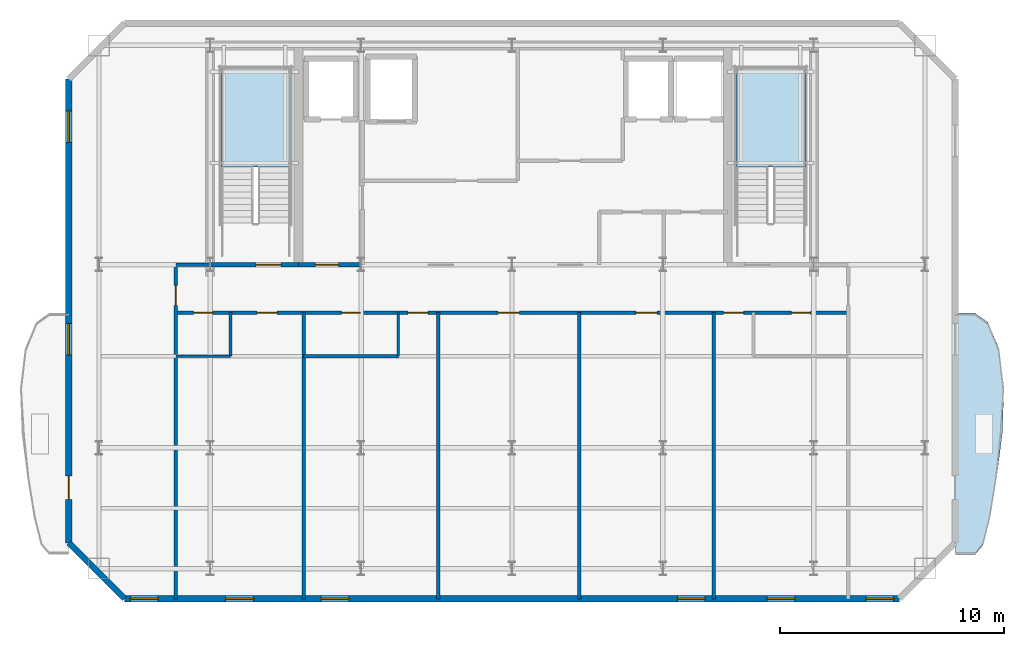
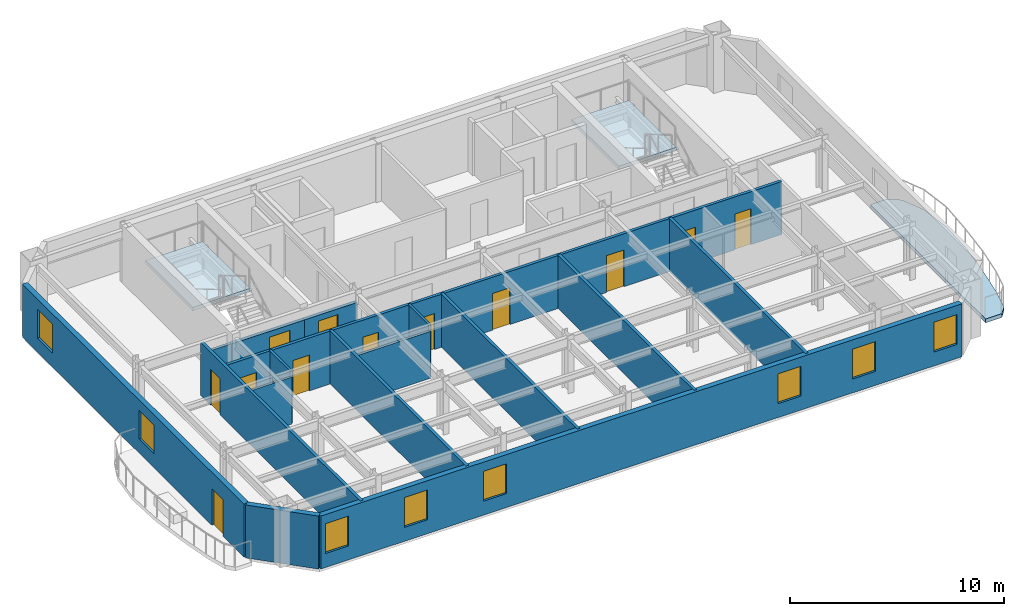
# One storey, part 2 of 6: 16 walls, 12 doors, 8 windows, 3 slabs, 20 openings, 2 elements without a shape of their own.
"""IFC4 building model written with IfcOpenShell, lengths in metres."""

import ifcopenshell
import ifcopenshell.guid

model = None  # the IFC model being written
_history = None  # IfcOwnerHistory: only IFC2X3 demands one
_inside = {}  # id of a spatial element -> (the spatial element, [elements in it])
_under = {}  # id of a project, library or spatial element -> (it, [spatial elements below it])
_declared = {}  # id of a project -> (the project, [libraries it declares])
_typed = {}  # id of a type object -> (the type object, [elements of that type])
_made_of = {}  # id of a material, layer set ... -> (it, [elements and type objects made of it])


def new_model(schema):
    """Start an empty IFC model of exactly this schema.

    Asked for "IFC4X3", IfcOpenShell would pick the latest addendum, in which some entities
    have other attributes; the version numbers below select the first issue.
    IFC2X3 requires an IfcOwnerHistory on every rooted entity: one is made here for all.
    """
    global model, _history
    if schema == "IFC4X3":
        model = ifcopenshell.file(schema_version=(4, 3, 0, 0))
    else:
        model = ifcopenshell.file(schema=schema)
    _inside.clear()
    _under.clear()
    _declared.clear()
    _typed.clear()
    _made_of.clear()
    _history = None
    if model.schema == "IFC2X3":
        org = make("IfcOrganization", Name="unknown")
        user = make(
            "IfcPersonAndOrganization",
            ThePerson=make("IfcPerson", FamilyName="unknown"),
            TheOrganization=org,
        )
        app = make(
            "IfcApplication",
            ApplicationDeveloper=org,
            Version="unknown",
            ApplicationFullName="unknown",
            ApplicationIdentifier="unknown",
        )
        _history = make(
            "IfcOwnerHistory",
            OwningUser=user,
            OwningApplication=app,
            ChangeAction="ADDED",
            CreationDate=0,
        )
    return model


def make(cls, **values):
    """One entity of the class cls with the attributes given. An attribute that is None is left unset."""
    return model.create_entity(
        cls, **{name: value for name, value in values.items() if value is not None}
    )


def rooted(cls, **values):
    """An entity with a GlobalId (a new one), such as an element, a storey or a relation."""
    return make(cls, GlobalId=ifcopenshell.guid.new(), OwnerHistory=_history, **values)


def si_unit(unit_type, name, prefix=None):
    """IfcSIUnit, for example si_unit("LENGTHUNIT", "METRE", prefix="MILLI")."""
    return make("IfcSIUnit", UnitType=unit_type, Prefix=prefix, Name=name)


def assignment(units):
    """IfcUnitAssignment: the units of a project."""
    return None if units is None else make("IfcUnitAssignment", Units=units)


def point(xyz):
    """IfcCartesianPoint."""
    return None if xyz is None else make("IfcCartesianPoint", Coordinates=xyz)


def direction(xyz):
    """IfcDirection."""
    return None if xyz is None else make("IfcDirection", DirectionRatios=xyz)


def frame(location, z_axis=None, x_axis=None):
    """IfcAxis2Placement3D, a coordinate frame: its origin and axes. An axis left out is left unset."""
    return make(
        "IfcAxis2Placement3D",
        Location=point(location),
        Axis=direction(z_axis),
        RefDirection=direction(x_axis),
    )


def frame_2d(location, x_axis=None):
    """IfcAxis2Placement2D, a coordinate frame in the plane: its origin and x axis."""
    return make(
        "IfcAxis2Placement2D", Location=point(location), RefDirection=direction(x_axis)
    )


def origin():
    """The frame at (0, 0, 0) with its axes left unset."""
    return frame((0.0, 0.0, 0.0))


def place(relative_to, where):
    """IfcLocalPlacement: puts the frame where relative to a parent placement (None: the world)."""
    return make(
        "IfcLocalPlacement", PlacementRelTo=relative_to, RelativePlacement=where
    )


def context(
    kind, dimensions, precision=None, world=None, true_north=None, identifier=None
):
    """IfcGeometricRepresentationContext, for example the 3D "Model" context."""
    return make(
        "IfcGeometricRepresentationContext",
        ContextIdentifier=identifier,
        ContextType=kind,
        CoordinateSpaceDimension=dimensions,
        Precision=precision,
        WorldCoordinateSystem=world,
        TrueNorth=true_north,
    )


def subcontext(parent, identifier, kind, view, scale=None):
    """IfcGeometricRepresentationSubContext, for example "Body" below "Model"."""
    return make(
        "IfcGeometricRepresentationSubContext",
        ContextIdentifier=identifier,
        ContextType=kind,
        ParentContext=parent,
        TargetScale=scale,
        TargetView=view,
    )


def project(units=None, contexts=None):
    """IfcProject with its units and contexts."""
    return rooted(
        "IfcProject",
        Name="project",
        RepresentationContexts=contexts,
        UnitsInContext=assignment(units),
    )


def spatial(cls, under=None, at=None, **own):
    """A site, building, storey or space (cls), placed at a placement, below another one or the project."""
    s = rooted(cls, ObjectPlacement=at, **own)
    if under is not None:
        _under.setdefault(under.id(), (under, []))[1].append(s)
    return s


def polyline(points):
    """IfcPolyline through the points."""
    return make("IfcPolyline", Points=[point(p) for p in points])


def profile(cls, at=None, kind="AREA", **sizes):
    """A parametric profile (cls). Its sizes go by their IFC names, for example OverallWidth=200.0."""
    return make(cls, ProfileType=kind, Position=at, **sizes)


def rectangle(**sizes):
    """IfcRectangleProfileDef."""
    return profile("IfcRectangleProfileDef", **sizes)


def outline(outer, holes=None, kind="AREA"):
    """IfcArbitraryClosedProfileDef: a profile drawn as a closed curve; with holes, ...WithVoids."""
    if holes is None:
        return make("IfcArbitraryClosedProfileDef", ProfileType=kind, OuterCurve=outer)
    return make(
        "IfcArbitraryProfileDefWithVoids",
        ProfileType=kind,
        OuterCurve=outer,
        InnerCurves=holes,
    )


def extrude(swept, where, along, depth):
    """IfcExtrudedAreaSolid: the profile swept, set in the frame where, extruded along a direction by depth."""
    return make(
        "IfcExtrudedAreaSolid",
        SweptArea=swept,
        Position=where,
        ExtrudedDirection=direction(along),
        Depth=depth,
    )


def shape(context_of_items, identifier, shape_type, items):
    """IfcShapeRepresentation: the items that make up one representation, for example the "Body"."""
    return make(
        "IfcShapeRepresentation",
        ContextOfItems=context_of_items,
        RepresentationIdentifier=identifier,
        RepresentationType=shape_type,
        Items=items,
    )


def material(Name=None, Category=None):
    """IfcMaterial."""
    return make("IfcMaterial", Name=Name, Category=Category)


def layer(
    of_material, thickness, ventilated=None, Name=None, Category=None, Priority=None
):
    """IfcMaterialLayer: one layer of a wall or slab, of a material (None: an air gap)."""
    return make(
        "IfcMaterialLayer",
        Material=of_material,
        LayerThickness=thickness,
        IsVentilated=ventilated,
        Name=Name,
        Category=Category,
        Priority=Priority,
    )


def layer_set(layers, Name=None):
    """IfcMaterialLayerSet."""
    return make("IfcMaterialLayerSet", MaterialLayers=layers, LayerSetName=Name)


def made_of(thing, what):
    """Note that an element or type object is made of a material, layer set ...; save() writes the relation."""
    if what is not None:
        _made_of.setdefault(what.id(), (what, []))[1].append(thing)
    return thing


def type_object(cls, material=None, **own):
    """A type object (cls), such as IfcWallType, which elements share."""
    return made_of(rooted(cls, **own), material)


def element(
    cls,
    number,
    at=None,
    inside=None,
    cuts=None,
    type_object=None,
    material=None,
    context=None,
    identifier="Body",
    shape_type=None,
    held_by="IfcProductDefinitionShape",
    body=None,
    shapes=None,
    **own,
):
    """One element of the class cls, such as IfcWall. Its Tag is "e" and its number.

    at: its placement. inside: the storey or other place that contains it. cuts: it is an
    opening in that element (IfcRelVoidsElement). A single representation is given by context,
    identifier, shape_type and body (its items); several are given by shapes. held_by: the class
    of the entity that holds the representations. save() writes the other relations.
    """
    e = rooted(cls, Tag="e%d" % number, ObjectPlacement=at, **own)
    if body is not None:
        shapes = [shape(context, identifier, shape_type, body)]
    if shapes is not None:
        e.Representation = make(held_by, Representations=shapes)
    if inside is not None:
        _inside.setdefault(inside.id(), (inside, []))[1].append(e)
    if cuts is not None:
        rooted(
            "IfcRelVoidsElement", RelatingBuildingElement=cuts, RelatedOpeningElement=e
        )
    if type_object is not None:
        _typed.setdefault(type_object.id(), (type_object, []))[1].append(e)
    return made_of(e, material)


def fill(opening, filler):
    """IfcRelFillsElement: the door or window that sits in an opening."""
    return rooted(
        "IfcRelFillsElement",
        RelatingOpeningElement=opening,
        RelatedBuildingElement=filler,
    )


def aggregate(whole, parts):
    """IfcRelAggregates: a whole, such as a stair, and the parts it consists of."""
    return rooted("IfcRelAggregates", RelatingObject=whole, RelatedObjects=parts)


def save(model, path):
    """Write the relations noted so far, then the file.

    IfcRelAggregates (storeys below a building ...), IfcRelContainedInSpatialStructure (elements
    in a storey), IfcRelDefinesByType, IfcRelAssociatesMaterial and IfcRelDeclares: one each for
    every whole, place, type object, material and project.
    """
    for whole, parts in _under.values():
        aggregate(whole, parts)
    for where, things in _inside.values():
        rooted(
            "IfcRelContainedInSpatialStructure",
            RelatedElements=things,
            RelatingStructure=where,
        )
    for kind, things in _typed.values():
        rooted("IfcRelDefinesByType", RelatedObjects=things, RelatingType=kind)
    for what, things in _made_of.values():
        rooted("IfcRelAssociatesMaterial", RelatedObjects=things, RelatingMaterial=what)
    for by, libraries in _declared.values():
        rooted("IfcRelDeclares", RelatingContext=by, RelatedDefinitions=libraries)
    model.write(path)


model = new_model("IFC4")

# Units and contexts
model_context = context("Model", 3, precision=1e-05, world=origin(), true_north=direction((0.0, 1.0)))
body_context = subcontext(model_context, "Body", "Model", "MODEL_VIEW")
ifc_project = project(units=[si_unit("LENGTHUNIT", "METRE"), si_unit("AREAUNIT", "SQUARE_METRE"), si_unit("VOLUMEUNIT", "CUBIC_METRE"), si_unit("PLANEANGLEUNIT", "RADIAN"), si_unit("MASSUNIT", "GRAM", prefix="KILO")], contexts=[model_context])

# Site, building, storey
site_placement = place(None, origin())
site = spatial("IfcSite", under=ifc_project, at=site_placement, CompositionType="ELEMENT")
building_placement = place(site_placement, origin())
building = spatial("IfcBuilding", under=site, at=building_placement, Name="Haevon Station Towers", CompositionType="ELEMENT")
storey_placement = place(building_placement, frame((0.0, 0.0, 246.0)))
storey = spatial("IfcBuildingStorey", under=building, at=storey_placement, Name="L68", CompositionType="ELEMENT", Elevation=246.0)

# Slab
ifc_material_1 = material(Name="Concrete C40/50", Category="concrete")
ifc_layer_1 = layer(ifc_material_1, 0.219970703125)
ifc_layer_set_1 = layer_set([ifc_layer_1], Name="Concrete C40/50")
slab_type_1 = type_object("IfcSlabType", Name="SL-BALC220", PredefinedType="FLOOR", material=ifc_layer_set_1)
slab_1_placement = place(storey_placement, frame((0.0, 0.0, -0.219970703125)))
element("IfcSlab", 1, at=slab_1_placement, inside=storey, type_object=slab_type_1, Name="Tower 1 L68 East SCALLOPED BALCONY", PredefinedType="FLOOR", context=body_context, shape_type="SweptSolid", body=[
    extrude(outline(polyline([(57.330078125, 25.22509765625), (58.2119140625, 25.22509765625), (58.56298828125, 25.635986328125), (58.862548828125, 26.806640625), (59.165771484375, 28.55859375), (59.429931640625, 30.625), (59.5087890625, 32.69140625), (59.283935546875, 34.443359375), (58.793212890625, 35.614013671875), (58.2119140625, 36.02490234375), (57.330078125, 36.02490234375), (57.330078125, 25.22509765625)])), origin(), (0.0, 0.0, 1.0), 0.219970703125),
])

# Stair, slab
stair_type = type_object("IfcStairType", Name="STR-DL1450", PredefinedType="USERDEFINED", material=ifc_material_1)
stair_1_placement = place(storey_placement, origin())
stair_1 = element("IfcStair", 2, at=stair_1_placement, inside=storey, type_object=stair_type, Name="L68 Escape Stair ST1", ObjectType="TWO_RETURN_STAIR", PredefinedType="USERDEFINED")
ifc_layer_2 = layer(ifc_material_1, 0.199951171875)
ifc_layer_set_2 = layer_set([ifc_layer_2], Name="Concrete C40/50")
slab_type_2 = type_object("IfcSlabType", Name="SL-LND200", PredefinedType="LANDING", material=ifc_layer_set_2)
slab_2_placement = place(storey_placement, frame((0.0, 0.0, 1.449951171875)))
slab_2 = element("IfcSlab", 3, at=slab_2_placement, type_object=slab_type_2, Name="L68 ST1 Half Landing 1", PredefinedType="LANDING", context=body_context, shape_type="SweptSolid", body=[
    extrude(outline(polyline([(27.580078125, 42.56396484375), (27.580078125, 47.0), (24.47998046875, 47.0), (24.47998046875, 42.56396484375), (27.580078125, 42.56396484375)])), origin(), (0.0, 0.0, 1.0), 0.199951171875),
])
aggregate(stair_1, [slab_2])

stair_2_placement = place(storey_placement, origin())
stair_2 = element("IfcStair", 4, at=stair_2_placement, inside=storey, type_object=stair_type, Name="L68 Escape Stair ST2", ObjectType="TWO_RETURN_STAIR", PredefinedType="USERDEFINED")
slab_3_placement = place(storey_placement, frame((0.0, 0.0, 1.449951171875)))
slab_3 = element("IfcSlab", 5, at=slab_3_placement, type_object=slab_type_2, Name="L68 ST2 Half Landing 1", PredefinedType="LANDING", context=body_context, shape_type="SweptSolid", body=[
    extrude(outline(polyline([(50.6201171875, 42.56396484375), (50.6201171875, 47.0), (47.52001953125, 47.0), (47.52001953125, 42.56396484375), (50.6201171875, 42.56396484375)])), origin(), (0.0, 0.0, 1.0), 0.199951171875),
])
aggregate(stair_2, [slab_3])

# Wall, opening, door
ifc_material_2 = material(Name="Gypsum board on steel stud", Category="steel")
ifc_layer_3 = layer(ifc_material_2, 0.199951171875)
ifc_layer_set_3 = layer_set([ifc_layer_3], Name="Gypsum board on steel stud")
wall_type_1 = type_object("IfcWallType", Name="WL-COR200", PredefinedType="PARTITIONING", material=ifc_layer_set_3)
wall_1_placement = place(storey_placement, frame((24.0, 38.199951171875, 0.0), z_axis=(0.0, 0.0, 1.0), x_axis=(1.0, 0.0, 0.0)))
wall_1 = element("IfcWall", 6, at=wall_1_placement, inside=storey, type_object=wall_type_1, Name="WL-ST-ST1-L68", PredefinedType="PARTITIONING", context=body_context, shape_type="SweptSolid", body=[
    extrude(rectangle(XDim=3.949951171875, YDim=0.199951171875, at=frame_2d((1.97509765625, 0.0))), origin(), (0.0, 0.0, 1.0), 2.429931640625),
])
opening_1_placement = place(wall_1_placement, frame((2.050048828125, 0.0, 0.0)))
opening_1 = element("IfcOpeningElement", 7, at=opening_1_placement, cuts=wall_1, Name="Opening DR-ST-ST1-L68", PredefinedType="OPENING", context=body_context, shape_type="SweptSolid", body=[
    extrude(rectangle(XDim=1.1201171875, YDim=2.10009765625, at=frame_2d((0.56005859375, 1.050048828125))), frame((0.0, 0.10986328125, 0.0), z_axis=(0.0, -1.0, 0.0), x_axis=(1.0, 0.0, 0.0)), (0.0, 0.0, 1.0), 0.219970703125),
])
ifc_material_3 = material(Name="Engineered oak timber", Category="wood")
door_type_1 = type_object("IfcDoorType", Name="DR-ST-1120", OperationType="NOTDEFINED", PredefinedType="DOOR", material=ifc_material_3)
door_1_placement = place(opening_1_placement, origin())
door_1 = element("IfcDoor", 8, at=door_1_placement, inside=storey, type_object=door_type_1, Name="L68 Escape Stair ST1 Fire Door", OperationType="SINGLE_SWING_LEFT", OverallHeight=2.10009765625, OverallWidth=1.1201171875, PredefinedType="DOOR", context=body_context, shape_type="SweptSolid", body=[
    extrude(rectangle(XDim=1.1201171875, YDim=2.10009765625, at=frame_2d((0.56005859375, 1.050048828125))), frame((0.0, 0.02490234375, 0.0), z_axis=(0.0, -1.0, 0.0), x_axis=(1.0, 0.0, 0.0)), (0.0, 0.0, 1.0), 0.050048828125),
])
fill(opening_1, door_1)

wall_2_placement = place(storey_placement, frame((27.949951171875, 38.199951171875, 0.0), z_axis=(0.0, 0.0, 1.0), x_axis=(1.0, 0.0, 0.0)))
wall_2 = element("IfcWall", 9, at=wall_2_placement, inside=storey, type_object=wall_type_1, Name="WL-T1FFL-L68-S", PredefinedType="PARTITIONING", context=body_context, shape_type="SweptSolid", body=[
    extrude(rectangle(XDim=2.85009765625, YDim=0.199951171875, at=frame_2d((1.425048828125, 0.0))), origin(), (0.0, 0.0, 1.0), 2.429931640625),
])
opening_2_placement = place(wall_2_placement, frame((0.75, 0.0, 0.0)))
opening_2 = element("IfcOpeningElement", 10, at=opening_2_placement, cuts=wall_2, Name="Opening DR-T1FFL-L68-S", PredefinedType="OPENING", context=body_context, shape_type="SweptSolid", body=[
    extrude(rectangle(XDim=1.050048828125, YDim=2.10009765625, at=frame_2d((0.52490234375, 1.050048828125))), frame((0.0, 0.10986328125, 0.0), z_axis=(0.0, -1.0, 0.0), x_axis=(1.0, 0.0, 0.0)), (0.0, 0.0, 1.0), 0.219970703125),
])
door_type_2 = type_object("IfcDoorType", Name="DR-FD60-1050", OperationType="NOTDEFINED", PredefinedType="DOOR", material=ifc_material_3)
door_2_placement = place(opening_2_placement, origin())
door_2 = element("IfcDoor", 11, at=door_2_placement, inside=storey, type_object=door_type_2, Name="L68 Tower 1 Firefighting Lift Lobby Door S", OperationType="SINGLE_SWING_RIGHT", OverallHeight=2.10009765625, OverallWidth=1.050048828125, PredefinedType="DOOR", context=body_context, shape_type="SweptSolid", body=[
    extrude(rectangle(XDim=1.050048828125, YDim=2.10009765625, at=frame_2d((0.52490234375, 1.050048828125))), frame((0.0, 0.02490234375, 0.0), z_axis=(0.0, -1.0, 0.0), x_axis=(1.0, 0.0, 0.0)), (0.0, 0.0, 1.0), 0.050048828125),
])
fill(opening_2, door_2)

# Wall, openings, windows
ifc_material_4 = material(Name="Precast concrete C45/55", Category="concrete")
ifc_layer_4 = layer(ifc_material_4, 0.280029296875)
ifc_layer_set_4 = layer_set([ifc_layer_4], Name="Precast concrete C45/55")
wall_type_2 = type_object("IfcWallType", Name="WL-EXT-PIER280", PredefinedType="SOLIDWALL", material=ifc_layer_set_4)
wall_3_placement = place(storey_placement, frame((54.824951171875, 23.25, 0.0), z_axis=(0.0, 0.0, 1.0), x_axis=(-1.0, 0.0, 0.0)))
wall_3 = element("IfcWall", 12, at=wall_3_placement, inside=storey, type_object=wall_type_2, Name="WL-T1-L68-S", PredefinedType="SOLIDWALL", context=body_context, shape_type="SweptSolid", body=[
    extrude(rectangle(XDim=34.64990234375, YDim=0.280029296875, at=frame_2d((17.324951171875, 0.0))), origin(), (0.0, 0.0, 1.0), 3.030029296875),
])
opening_3_placement = place(wall_3_placement, frame((33.14990234375, 0.0, 0.800048828125)))
opening_3 = element("IfcOpeningElement", 13, at=opening_3_placement, cuts=wall_3, Name="Opening WN-P125", PredefinedType="OPENING", context=body_context, shape_type="SweptSolid", body=[
    extrude(rectangle(XDim=1.25, YDim=1.699951171875, at=frame_2d((0.625, 0.85009765625))), frame((0.0, 0.14990234375, 0.0), z_axis=(0.0, -1.0, 0.0), x_axis=(1.0, 0.0, 0.0)), (0.0, 0.0, 1.0), 0.300048828125),
])
opening_4_placement = place(wall_3_placement, frame((0.25, 0.0, 0.800048828125)))
opening_4 = element("IfcOpeningElement", 14, at=opening_4_placement, cuts=wall_3, Name="Opening WN-P125", PredefinedType="OPENING", context=body_context, shape_type="SweptSolid", body=[
    extrude(rectangle(XDim=1.25, YDim=1.699951171875, at=frame_2d((0.625, 0.85009765625))), frame((0.0, 0.14990234375, 0.0), z_axis=(0.0, -1.0, 0.0), x_axis=(1.0, 0.0, 0.0)), (0.0, 0.0, 1.0), 0.300048828125),
])
opening_5_placement = place(wall_3_placement, frame((28.880859375, 0.0, 0.800048828125)))
opening_5 = element("IfcOpeningElement", 15, at=opening_5_placement, cuts=wall_3, Name="Opening WN-P125", PredefinedType="OPENING", context=body_context, shape_type="SweptSolid", body=[
    extrude(rectangle(XDim=1.25, YDim=1.699951171875, at=frame_2d((0.625, 0.85009765625))), frame((0.0, 0.14990234375, 0.0), z_axis=(0.0, -1.0, 0.0), x_axis=(1.0, 0.0, 0.0)), (0.0, 0.0, 1.0), 0.300048828125),
])
opening_6_placement = place(wall_3_placement, frame((24.6181640625, 0.0, 0.800048828125)))
opening_6 = element("IfcOpeningElement", 16, at=opening_6_placement, cuts=wall_3, Name="Opening WN-P125", PredefinedType="OPENING", context=body_context, shape_type="SweptSolid", body=[
    extrude(rectangle(XDim=1.25, YDim=1.699951171875, at=frame_2d((0.625, 0.85009765625))), frame((0.0, 0.14990234375, 0.0), z_axis=(0.0, -1.0, 0.0), x_axis=(1.0, 0.0, 0.0)), (0.0, 0.0, 1.0), 0.300048828125),
])
opening_7_placement = place(wall_3_placement, frame((8.68212890625, 0.0, 0.800048828125)))
opening_7 = element("IfcOpeningElement", 17, at=opening_7_placement, cuts=wall_3, Name="Opening WN-P125", PredefinedType="OPENING", context=body_context, shape_type="SweptSolid", body=[
    extrude(rectangle(XDim=1.25, YDim=1.699951171875, at=frame_2d((0.625, 0.85009765625))), frame((0.0, 0.14990234375, 0.0), z_axis=(0.0, -1.0, 0.0), x_axis=(1.0, 0.0, 0.0)), (0.0, 0.0, 1.0), 0.300048828125),
])
opening_8_placement = place(wall_3_placement, frame((4.669677734375, 0.0, 0.800048828125)))
opening_8 = element("IfcOpeningElement", 18, at=opening_8_placement, cuts=wall_3, Name="Opening WN-P125", PredefinedType="OPENING", context=body_context, shape_type="SweptSolid", body=[
    extrude(rectangle(XDim=1.25, YDim=1.699951171875, at=frame_2d((0.625, 0.85009765625))), frame((0.0, 0.14990234375, 0.0), z_axis=(0.0, -1.0, 0.0), x_axis=(1.0, 0.0, 0.0)), (0.0, 0.0, 1.0), 0.300048828125),
])
ifc_material_5 = material(Name="Low-E triple glazing in thermally broken aluminium", Category="aluminium")
window_type_1 = type_object("IfcWindowType", Name="WN-P125", PartitioningType="SINGLE_PANEL", PredefinedType="WINDOW", material=ifc_material_5)
window_1_placement = place(opening_3_placement, origin())
window_1 = element("IfcWindow", 19, at=window_1_placement, inside=storey, type_object=window_type_1, Name="WN-T1-L68-S01", OverallHeight=1.699951171875, OverallWidth=1.25, PartitioningType="SINGLE_PANEL", PredefinedType="WINDOW", context=body_context, shape_type="SweptSolid", body=[
    extrude(rectangle(XDim=1.25, YDim=1.699951171875, at=frame_2d((0.625, 0.85009765625))), frame((0.0, 0.030029296875, 0.0), z_axis=(0.0, -1.0, 0.0), x_axis=(1.0, 0.0, 0.0)), (0.0, 0.0, 1.0), 0.06005859375),
])
fill(opening_3, window_1)
window_2_placement = place(opening_4_placement, origin())
window_2 = element("IfcWindow", 20, at=window_2_placement, inside=storey, type_object=window_type_1, Name="WN-T1-L68-S02", OverallHeight=1.699951171875, OverallWidth=1.25, PartitioningType="SINGLE_PANEL", PredefinedType="WINDOW", context=body_context, shape_type="SweptSolid", body=[
    extrude(rectangle(XDim=1.25, YDim=1.699951171875, at=frame_2d((0.625, 0.85009765625))), frame((0.0, 0.030029296875, 0.0), z_axis=(0.0, -1.0, 0.0), x_axis=(1.0, 0.0, 0.0)), (0.0, 0.0, 1.0), 0.06005859375),
])
fill(opening_4, window_2)
window_3_placement = place(opening_5_placement, origin())
window_3 = element("IfcWindow", 21, at=window_3_placement, inside=storey, type_object=window_type_1, Name="WN-T1-L68-S03", OverallHeight=1.699951171875, OverallWidth=1.25, PartitioningType="SINGLE_PANEL", PredefinedType="WINDOW", context=body_context, shape_type="SweptSolid", body=[
    extrude(rectangle(XDim=1.25, YDim=1.699951171875, at=frame_2d((0.625, 0.85009765625))), frame((0.0, 0.030029296875, 0.0), z_axis=(0.0, -1.0, 0.0), x_axis=(1.0, 0.0, 0.0)), (0.0, 0.0, 1.0), 0.06005859375),
])
fill(opening_5, window_3)
window_4_placement = place(opening_6_placement, origin())
window_4 = element("IfcWindow", 22, at=window_4_placement, inside=storey, type_object=window_type_1, Name="WN-T1-L68-S04", OverallHeight=1.699951171875, OverallWidth=1.25, PartitioningType="SINGLE_PANEL", PredefinedType="WINDOW", context=body_context, shape_type="SweptSolid", body=[
    extrude(rectangle(XDim=1.25, YDim=1.699951171875, at=frame_2d((0.625, 0.85009765625))), frame((0.0, 0.030029296875, 0.0), z_axis=(0.0, -1.0, 0.0), x_axis=(1.0, 0.0, 0.0)), (0.0, 0.0, 1.0), 0.06005859375),
])
fill(opening_6, window_4)
window_5_placement = place(opening_7_placement, origin())
window_5 = element("IfcWindow", 23, at=window_5_placement, inside=storey, type_object=window_type_1, Name="WN-T1-L68-S05", OverallHeight=1.699951171875, OverallWidth=1.25, PartitioningType="SINGLE_PANEL", PredefinedType="WINDOW", context=body_context, shape_type="SweptSolid", body=[
    extrude(rectangle(XDim=1.25, YDim=1.699951171875, at=frame_2d((0.625, 0.85009765625))), frame((0.0, 0.030029296875, 0.0), z_axis=(0.0, -1.0, 0.0), x_axis=(1.0, 0.0, 0.0)), (0.0, 0.0, 1.0), 0.06005859375),
])
fill(opening_7, window_5)
window_6_placement = place(opening_8_placement, origin())
window_6 = element("IfcWindow", 24, at=window_6_placement, inside=storey, type_object=window_type_1, Name="WN-T1-L68-S06", OverallHeight=1.699951171875, OverallWidth=1.25, PartitioningType="SINGLE_PANEL", PredefinedType="WINDOW", context=body_context, shape_type="SweptSolid", body=[
    extrude(rectangle(XDim=1.25, YDim=1.699951171875, at=frame_2d((0.625, 0.85009765625))), frame((0.0, 0.030029296875, 0.0), z_axis=(0.0, -1.0, 0.0), x_axis=(1.0, 0.0, 0.0)), (0.0, 0.0, 1.0), 0.06005859375),
])
fill(opening_8, window_6)

# Wall
wall_4_placement = place(storey_placement, frame((20.175048828125, 23.25, 0.0), z_axis=(0.0, 0.0, 1.0), x_axis=(-0.707106781187, 0.707106781187, 0.0)))
element("IfcWall", 25, at=wall_4_placement, inside=storey, type_object=wall_type_2, Name="WL-T1-L68-SWC", PredefinedType="SOLIDWALL", context=body_context, shape_type="SweptSolid", body=[
    extrude(rectangle(XDim=3.53564453125, YDim=0.280029296875, at=frame_2d((1.767822265625, 0.0))), origin(), (0.0, 0.0, 1.0), 3.030029296875),
])

# Wall, openings, door, windows
wall_5_placement = place(storey_placement, frame((17.675048828125, 25.75, 0.0), z_axis=(0.0, 0.0, 1.0), x_axis=(0.0, 1.0, 0.0)))
wall_5 = element("IfcWall", 26, at=wall_5_placement, inside=storey, type_object=wall_type_2, Name="WL-T1-L68-W", PredefinedType="SOLIDWALL", context=body_context, shape_type="SweptSolid", body=[
    extrude(rectangle(XDim=20.75, YDim=0.280029296875, at=frame_2d((10.375, 0.0))), origin(), (0.0, 0.0, 1.0), 3.030029296875),
])
opening_9_placement = place(wall_5_placement, frame((1.949951171875, 0.0, 0.0)))
opening_9 = element("IfcOpeningElement", 27, at=opening_9_placement, cuts=wall_5, Name="Opening DR-T1-SCAL-L68-W", PredefinedType="OPENING", context=body_context, shape_type="SweptSolid", body=[
    extrude(rectangle(XDim=1.050048828125, YDim=2.10009765625, at=frame_2d((0.52490234375, 1.050048828125))), frame((0.0, 0.14990234375, 0.0), z_axis=(0.0, -1.0, 0.0), x_axis=(1.0, 0.0, 0.0)), (0.0, 0.0, 1.0), 0.300048828125),
])
opening_10_placement = place(wall_5_placement, frame((8.406982421875, 0.0, 0.800048828125)))
opening_10 = element("IfcOpeningElement", 28, at=opening_10_placement, cuts=wall_5, Name="Opening WN-END140", PredefinedType="OPENING", context=body_context, shape_type="SweptSolid", body=[
    extrude(rectangle(XDim=1.39990234375, YDim=1.64990234375, at=frame_2d((0.699951171875, 0.824951171875))), frame((0.0, 0.14990234375, 0.0), z_axis=(0.0, -1.0, 0.0), x_axis=(1.0, 0.0, 0.0)), (0.0, 0.0, 1.0), 0.300048828125),
])
opening_11_placement = place(wall_5_placement, frame((17.916015625, 0.0, 0.800048828125)))
opening_11 = element("IfcOpeningElement", 29, at=opening_11_placement, cuts=wall_5, Name="Opening WN-END140", PredefinedType="OPENING", context=body_context, shape_type="SweptSolid", body=[
    extrude(rectangle(XDim=1.39990234375, YDim=1.64990234375, at=frame_2d((0.699951171875, 0.824951171875))), frame((0.0, 0.14990234375, 0.0), z_axis=(0.0, -1.0, 0.0), x_axis=(1.0, 0.0, 0.0)), (0.0, 0.0, 1.0), 0.300048828125),
])
ifc_material_6 = material(Name="Thermally broken anodised aluminium and laminated safety glass", Category="aluminium")
door_type_3 = type_object("IfcDoorType", Name="DR-BALC-1050", OperationType="NOTDEFINED", PredefinedType="DOOR", material=ifc_material_6)
door_3_placement = place(opening_9_placement, origin())
door_3 = element("IfcDoor", 30, at=door_3_placement, inside=storey, type_object=door_type_3, Name="Tower 1 L68 West Scalloped Balcony Door", OperationType="SINGLE_SWING_LEFT", OverallHeight=2.10009765625, OverallWidth=1.050048828125, PredefinedType="DOOR", context=body_context, shape_type="SweptSolid", body=[
    extrude(rectangle(XDim=1.050048828125, YDim=2.10009765625, at=frame_2d((0.52490234375, 1.050048828125))), frame((0.0, 0.02490234375, 0.0), z_axis=(0.0, -1.0, 0.0), x_axis=(1.0, 0.0, 0.0)), (0.0, 0.0, 1.0), 0.050048828125),
])
fill(opening_9, door_3)
window_type_2 = type_object("IfcWindowType", Name="WN-END140", PartitioningType="SINGLE_PANEL", PredefinedType="WINDOW", material=ifc_material_5)
window_7_placement = place(opening_10_placement, origin())
window_7 = element("IfcWindow", 31, at=window_7_placement, inside=storey, type_object=window_type_2, Name="WN-T1-L68-W01", OverallHeight=1.64990234375, OverallWidth=1.39990234375, PartitioningType="SINGLE_PANEL", PredefinedType="WINDOW", context=body_context, shape_type="SweptSolid", body=[
    extrude(rectangle(XDim=1.39990234375, YDim=1.64990234375, at=frame_2d((0.699951171875, 0.824951171875))), frame((0.0, 0.030029296875, 0.0), z_axis=(0.0, -1.0, 0.0), x_axis=(1.0, 0.0, 0.0)), (0.0, 0.0, 1.0), 0.06005859375),
])
fill(opening_10, window_7)
window_8_placement = place(opening_11_placement, origin())
window_8 = element("IfcWindow", 32, at=window_8_placement, inside=storey, type_object=window_type_2, Name="WN-T1-L68-W02", OverallHeight=1.64990234375, OverallWidth=1.39990234375, PartitioningType="SINGLE_PANEL", PredefinedType="WINDOW", context=body_context, shape_type="SweptSolid", body=[
    extrude(rectangle(XDim=1.39990234375, YDim=1.64990234375, at=frame_2d((0.699951171875, 0.824951171875))), frame((0.0, 0.030029296875, 0.0), z_axis=(0.0, -1.0, 0.0), x_axis=(1.0, 0.0, 0.0)), (0.0, 0.0, 1.0), 0.06005859375),
])
fill(opening_11, window_8)

# Walls
ifc_layer_5 = layer(ifc_material_2, 0.125)
ifc_layer_set_5 = layer_set([ifc_layer_5], Name="Gypsum board on steel stud")
wall_type_3 = type_object("IfcWallType", Name="WL-PRT125", PredefinedType="PARTITIONING", material=ifc_layer_set_5)
wall_6_placement = place(storey_placement, frame((22.4619140625, 34.10009765625, 0.0), z_axis=(0.0, 0.0, 1.0), x_axis=(1.0, 0.0, 0.0)))
element("IfcWall", 33, at=wall_6_placement, inside=storey, type_object=wall_type_3, Name="WL-T1PT-L68-05", PredefinedType="PARTITIONING", context=body_context, shape_type="SweptSolid", body=[
    extrude(rectangle(XDim=2.4501953125, YDim=0.125, at=frame_2d((1.22509765625, 0.0))), origin(), (0.0, 0.0, 1.0), 2.679931640625),
])
wall_7_placement = place(storey_placement, frame((32.41162109375, 34.10009765625, 0.0), z_axis=(0.0, 0.0, 1.0), x_axis=(0.0, 1.0, 0.0)))
element("IfcWall", 34, at=wall_7_placement, inside=storey, type_object=wall_type_3, Name="WL-T1PT-L68-09", PredefinedType="PARTITIONING", context=body_context, shape_type="SweptSolid", body=[
    extrude(rectangle(XDim=1.949951171875, YDim=0.125, at=frame_2d((0.97509765625, 0.0))), origin(), (0.0, 0.0, 1.0), 3.030029296875),
])
ifc_layer_6 = layer(ifc_material_2, 0.139892578125)
ifc_layer_set_6 = layer_set([ifc_layer_6], Name="Gypsum board on steel stud")
wall_type_4 = type_object("IfcWallType", Name="WL-PRT140", PredefinedType="PARTITIONING", material=ifc_layer_set_6)
wall_8_placement = place(storey_placement, frame((24.912109375, 34.10009765625, 0.0), z_axis=(0.0, 0.0, 1.0), x_axis=(0.0, 1.0, 0.0)))
element("IfcWall", 35, at=wall_8_placement, inside=storey, type_object=wall_type_4, Name="WL-T1PT-L68-06", PredefinedType="PARTITIONING", context=body_context, shape_type="SweptSolid", body=[
    extrude(rectangle(XDim=1.949951171875, YDim=0.139892578125, at=frame_2d((0.97509765625, 0.0))), origin(), (0.0, 0.0, 1.0), 3.030029296875),
])
wall_9_placement = place(storey_placement, frame((28.176513671875, 34.10009765625, 0.0), z_axis=(0.0, 0.0, 1.0), x_axis=(1.0, 0.0, 0.0)))
element("IfcWall", 36, at=wall_9_placement, inside=storey, type_object=wall_type_4, Name="WL-T1PT-L68-08", PredefinedType="PARTITIONING", context=body_context, shape_type="SweptSolid", body=[
    extrude(rectangle(XDim=4.235107421875, YDim=0.139892578125, at=frame_2d((2.11767578125, 0.0))), origin(), (0.0, 0.0, 1.0), 2.679931640625),
])
ifc_layer_7 = layer(ifc_material_2, 0.159912109375)
ifc_layer_set_7 = layer_set([ifc_layer_7], Name="Gypsum board on steel stud")
wall_type_5 = type_object("IfcWallType", Name="WL-PRT160", PredefinedType="PARTITIONING", material=ifc_layer_set_7)
wall_10_placement = place(storey_placement, frame((22.4619140625, 38.199951171875, 0.0), z_axis=(0.0, 0.0, 1.0), x_axis=(1.0, 0.0, 0.0)))
element("IfcWall", 37, at=wall_10_placement, inside=storey, type_object=wall_type_5, Name="WL-T1PT-L68-01", PredefinedType="PARTITIONING", context=body_context, shape_type="SweptSolid", body=[
    extrude(rectangle(XDim=1.5380859375, YDim=0.159912109375, at=frame_2d((0.76904296875, 0.0))), origin(), (0.0, 0.0, 1.0), 2.429931640625),
])

# Wall, opening, door
wall_11_placement = place(storey_placement, frame((22.4619140625, 23.25, 0.0), z_axis=(0.0, 0.0, 1.0), x_axis=(0.0, 1.0, 0.0)))
wall_11 = element("IfcWall", 38, at=wall_11_placement, inside=storey, type_object=wall_type_5, Name="WL-T1PT-L68-03", PredefinedType="PARTITIONING", context=body_context, shape_type="SweptSolid", body=[
    extrude(rectangle(XDim=14.949951171875, YDim=0.159912109375, at=frame_2d((7.47509765625, 0.0))), origin(), (0.0, 0.0, 1.0), 3.030029296875),
])
opening_12_placement = place(wall_11_placement, frame((13.1201171875, 0.0, 0.0)))
opening_12 = element("IfcOpeningElement", 39, at=opening_12_placement, cuts=wall_11, Name="Opening DR-WL-T1PT-L68-03-01", PredefinedType="OPENING", context=body_context, shape_type="SweptSolid", body=[
    extrude(rectangle(XDim=0.89990234375, YDim=2.050048828125, at=frame_2d((0.449951171875, 1.02490234375))), frame((0.0, 0.08984375, 0.0), z_axis=(0.0, -1.0, 0.0), x_axis=(1.0, 0.0, 0.0)), (0.0, 0.0, 1.0), 0.179931640625),
])
door_type_4 = type_object("IfcDoorType", Name="DR-INT-900", OperationType="NOTDEFINED", PredefinedType="DOOR", material=ifc_material_3)
door_4_placement = place(opening_12_placement, origin())
door_4 = element("IfcDoor", 40, at=door_4_placement, inside=storey, type_object=door_type_4, Name="L68 Tower 1 Room Door 3-1", OperationType="SINGLE_SWING_RIGHT", OverallHeight=2.050048828125, OverallWidth=0.89990234375, PredefinedType="DOOR", context=body_context, shape_type="SweptSolid", body=[
    extrude(rectangle(XDim=0.89990234375, YDim=2.050048828125, at=frame_2d((0.449951171875, 1.02490234375))), frame((0.0, 0.02490234375, 0.0), z_axis=(0.0, -1.0, 0.0), x_axis=(1.0, 0.0, 0.0)), (0.0, 0.0, 1.0), 0.050048828125),
])
fill(opening_12, door_4)

# Walls
for number, where, z_axis, x_axis, name in (
    (41, (28.176513671875, 23.25, 0.0), (0.0, 0.0, 1.0), (0.0, 1.0, 0.0), "WL-T1PT-L68-07"),
    (42, (34.191650390625, 23.25, 0.0), (0.0, 0.0, 1.0), (0.0, 1.0, 0.0), "WL-T1PT-L68-10"),
    (43, (40.507568359375, 23.25, 0.0), (0.0, 0.0, 1.0), (0.0, 1.0, 0.0), "WL-T1PT-L68-11"),
    (44, (46.522705078125, 23.25, 0.0), (0.0, 0.0, 1.0), (0.0, 1.0, 0.0), "WL-T1PT-L68-12"),
):
    element("IfcWall", number, at=place(storey_placement, frame(where, z_axis=z_axis, x_axis=x_axis)), inside=storey, type_object=wall_type_5, Name=name, PredefinedType="PARTITIONING", context=body_context, shape_type="SweptSolid", body=[
        extrude(rectangle(XDim=12.800048828125, YDim=0.159912109375, at=frame_2d((6.39990234375, 0.0))), origin(), (0.0, 0.0, 1.0), 3.030029296875),
    ])

# Wall, openings, doors
wall_12_placement = place(storey_placement, frame((22.4619140625, 36.050048828125, 0.0), z_axis=(0.0, 0.0, 1.0), x_axis=(1.0, 0.0, 0.0)))
wall_12 = element("IfcWall", 45, at=wall_12_placement, inside=storey, type_object=wall_type_5, Name="WL-T1PT-L68-15", PredefinedType="PARTITIONING", context=body_context, shape_type="SweptSolid", body=[
    extrude(rectangle(XDim=30.076171875, YDim=0.159912109375, at=frame_2d((15.0380859375, 0.0))), origin(), (0.0, 0.0, 1.0), 3.030029296875),
])
opening_13_placement = place(wall_12_placement, frame((0.800048828125, 0.0, 0.0)))
opening_13 = element("IfcOpeningElement", 46, at=opening_13_placement, cuts=wall_12, Name="Opening DR-WL-T1PT-L68-15-01", PredefinedType="OPENING", context=body_context, shape_type="SweptSolid", body=[
    extrude(rectangle(XDim=0.85009765625, YDim=2.050048828125, at=frame_2d((0.425048828125, 1.02490234375))), frame((0.0, 0.08984375, 0.0), z_axis=(0.0, -1.0, 0.0), x_axis=(1.0, 0.0, 0.0)), (0.0, 0.0, 1.0), 0.179931640625),
])
opening_14_placement = place(wall_12_placement, frame((3.632080078125, 0.0, 0.0)))
opening_14 = element("IfcOpeningElement", 47, at=opening_14_placement, cuts=wall_12, Name="Opening DR-WL-T1PT-L68-15-02", PredefinedType="OPENING", context=body_context, shape_type="SweptSolid", body=[
    extrude(rectangle(XDim=0.89990234375, YDim=2.050048828125, at=frame_2d((0.449951171875, 1.02490234375))), frame((0.0, 0.08984375, 0.0), z_axis=(0.0, -1.0, 0.0), x_axis=(1.0, 0.0, 0.0)), (0.0, 0.0, 1.0), 0.179931640625),
])
opening_15_placement = place(wall_12_placement, frame((7.406982421875, 0.0, 0.0)))
opening_15 = element("IfcOpeningElement", 48, at=opening_15_placement, cuts=wall_12, Name="Opening DR-WL-T1PT-L68-15-03", PredefinedType="OPENING", context=body_context, shape_type="SweptSolid", body=[
    extrude(rectangle(XDim=0.85009765625, YDim=2.050048828125, at=frame_2d((0.425048828125, 1.02490234375))), frame((0.0, 0.08984375, 0.0), z_axis=(0.0, -1.0, 0.0), x_axis=(1.0, 0.0, 0.0)), (0.0, 0.0, 1.0), 0.179931640625),
])
opening_16_placement = place(wall_12_placement, frame((10.389892578125, 0.0, 0.0)))
opening_16 = element("IfcOpeningElement", 49, at=opening_16_placement, cuts=wall_12, Name="Opening DR-WL-T1PT-L68-15-04", PredefinedType="OPENING", context=body_context, shape_type="SweptSolid", body=[
    extrude(rectangle(XDim=0.89990234375, YDim=2.050048828125, at=frame_2d((0.449951171875, 1.02490234375))), frame((0.0, 0.08984375, 0.0), z_axis=(0.0, -1.0, 0.0), x_axis=(1.0, 0.0, 0.0)), (0.0, 0.0, 1.0), 0.179931640625),
])
opening_17_placement = place(wall_12_placement, frame((14.4130859375, 0.0, 0.0)))
opening_17 = element("IfcOpeningElement", 50, at=opening_17_placement, cuts=wall_12, Name="Opening DR-WL-T1PT-L68-15-05", PredefinedType="OPENING", context=body_context, shape_type="SweptSolid", body=[
    extrude(rectangle(XDim=0.949951171875, YDim=2.10009765625, at=frame_2d((0.47509765625, 1.050048828125))), frame((0.0, 0.08984375, 0.0), z_axis=(0.0, -1.0, 0.0), x_axis=(1.0, 0.0, 0.0)), (0.0, 0.0, 1.0), 0.179931640625),
])
opening_18_placement = place(wall_12_placement, frame((20.577880859375, 0.0, 0.0)))
opening_18 = element("IfcOpeningElement", 51, at=opening_18_placement, cuts=wall_12, Name="Opening DR-WL-T1PT-L68-15-06", PredefinedType="OPENING", context=body_context, shape_type="SweptSolid", body=[
    extrude(rectangle(XDim=0.949951171875, YDim=2.10009765625, at=frame_2d((0.47509765625, 1.050048828125))), frame((0.0, 0.08984375, 0.0), z_axis=(0.0, -1.0, 0.0), x_axis=(1.0, 0.0, 0.0)), (0.0, 0.0, 1.0), 0.179931640625),
])
opening_19_placement = place(wall_12_placement, frame((27.532958984375, 0.0, 0.0)))
opening_19 = element("IfcOpeningElement", 52, at=opening_19_placement, cuts=wall_12, Name="Opening DR-WL-T1PT-L68-15-07", PredefinedType="OPENING", context=body_context, shape_type="SweptSolid", body=[
    extrude(rectangle(XDim=0.85009765625, YDim=2.050048828125, at=frame_2d((0.425048828125, 1.02490234375))), frame((0.0, 0.08984375, 0.0), z_axis=(0.0, -1.0, 0.0), x_axis=(1.0, 0.0, 0.0)), (0.0, 0.0, 1.0), 0.179931640625),
])
opening_20_placement = place(wall_12_placement, frame((24.5009765625, 0.0, 0.0)))
opening_20 = element("IfcOpeningElement", 53, at=opening_20_placement, cuts=wall_12, Name="Opening DR-WL-T1PT-L68-15-08", PredefinedType="OPENING", context=body_context, shape_type="SweptSolid", body=[
    extrude(rectangle(XDim=0.89990234375, YDim=2.050048828125, at=frame_2d((0.449951171875, 1.02490234375))), frame((0.0, 0.08984375, 0.0), z_axis=(0.0, -1.0, 0.0), x_axis=(1.0, 0.0, 0.0)), (0.0, 0.0, 1.0), 0.179931640625),
])
door_type_5 = type_object("IfcDoorType", Name="DR-FD30-850", OperationType="NOTDEFINED", PredefinedType="DOOR", material=ifc_material_3)
door_5_placement = place(opening_13_placement, origin())
door_5 = element("IfcDoor", 54, at=door_5_placement, inside=storey, type_object=door_type_5, Name="L68 Tower 1 Room Door 15-1", OperationType="SINGLE_SWING_RIGHT", OverallHeight=2.050048828125, OverallWidth=0.85009765625, PredefinedType="DOOR", context=body_context, shape_type="SweptSolid", body=[
    extrude(rectangle(XDim=0.85009765625, YDim=2.050048828125, at=frame_2d((0.425048828125, 1.02490234375))), frame((0.0, 0.02490234375, 0.0), z_axis=(0.0, -1.0, 0.0), x_axis=(1.0, 0.0, 0.0)), (0.0, 0.0, 1.0), 0.050048828125),
])
fill(opening_13, door_5)
door_6_placement = place(opening_15_placement, origin())
door_6 = element("IfcDoor", 55, at=door_6_placement, inside=storey, type_object=door_type_5, Name="L68 Tower 1 Room Door 15-3", OperationType="SINGLE_SWING_RIGHT", OverallHeight=2.050048828125, OverallWidth=0.85009765625, PredefinedType="DOOR", context=body_context, shape_type="SweptSolid", body=[
    extrude(rectangle(XDim=0.85009765625, YDim=2.050048828125, at=frame_2d((0.425048828125, 1.02490234375))), frame((0.0, 0.02490234375, 0.0), z_axis=(0.0, -1.0, 0.0), x_axis=(1.0, 0.0, 0.0)), (0.0, 0.0, 1.0), 0.050048828125),
])
fill(opening_15, door_6)
door_7_placement = place(opening_19_placement, origin())
door_7 = element("IfcDoor", 56, at=door_7_placement, inside=storey, type_object=door_type_5, Name="L68 Tower 1 Room Door 15-7", OperationType="SINGLE_SWING_RIGHT", OverallHeight=2.050048828125, OverallWidth=0.85009765625, PredefinedType="DOOR", context=body_context, shape_type="SweptSolid", body=[
    extrude(rectangle(XDim=0.85009765625, YDim=2.050048828125, at=frame_2d((0.425048828125, 1.02490234375))), frame((0.0, 0.02490234375, 0.0), z_axis=(0.0, -1.0, 0.0), x_axis=(1.0, 0.0, 0.0)), (0.0, 0.0, 1.0), 0.050048828125),
])
fill(opening_19, door_7)
door_type_6 = type_object("IfcDoorType", Name="DR-FD30-950", OperationType="NOTDEFINED", PredefinedType="DOOR", material=ifc_material_3)
door_8_placement = place(opening_17_placement, origin())
door_8 = element("IfcDoor", 57, at=door_8_placement, inside=storey, type_object=door_type_6, Name="L68 Tower 1 Room Door 15-5", OperationType="SINGLE_SWING_RIGHT", OverallHeight=2.10009765625, OverallWidth=0.949951171875, PredefinedType="DOOR", context=body_context, shape_type="SweptSolid", body=[
    extrude(rectangle(XDim=0.949951171875, YDim=2.10009765625, at=frame_2d((0.47509765625, 1.050048828125))), frame((0.0, 0.02490234375, 0.0), z_axis=(0.0, -1.0, 0.0), x_axis=(1.0, 0.0, 0.0)), (0.0, 0.0, 1.0), 0.050048828125),
])
fill(opening_17, door_8)
door_9_placement = place(opening_18_placement, origin())
door_9 = element("IfcDoor", 58, at=door_9_placement, inside=storey, type_object=door_type_6, Name="L68 Tower 1 Room Door 15-6", OperationType="SINGLE_SWING_LEFT", OverallHeight=2.10009765625, OverallWidth=0.949951171875, PredefinedType="DOOR", context=body_context, shape_type="SweptSolid", body=[
    extrude(rectangle(XDim=0.949951171875, YDim=2.10009765625, at=frame_2d((0.47509765625, 1.050048828125))), frame((0.0, 0.02490234375, 0.0), z_axis=(0.0, -1.0, 0.0), x_axis=(1.0, 0.0, 0.0)), (0.0, 0.0, 1.0), 0.050048828125),
])
fill(opening_18, door_9)
door_10_placement = place(opening_14_placement, origin())
door_10 = element("IfcDoor", 59, at=door_10_placement, inside=storey, type_object=door_type_4, Name="L68 Tower 1 Room Door 15-2", OperationType="SINGLE_SWING_LEFT", OverallHeight=2.050048828125, OverallWidth=0.89990234375, PredefinedType="DOOR", context=body_context, shape_type="SweptSolid", body=[
    extrude(rectangle(XDim=0.89990234375, YDim=2.050048828125, at=frame_2d((0.449951171875, 1.02490234375))), frame((0.0, 0.02490234375, 0.0), z_axis=(0.0, -1.0, 0.0), x_axis=(1.0, 0.0, 0.0)), (0.0, 0.0, 1.0), 0.050048828125),
])
fill(opening_14, door_10)
door_11_placement = place(opening_16_placement, origin())
door_11 = element("IfcDoor", 60, at=door_11_placement, inside=storey, type_object=door_type_4, Name="L68 Tower 1 Room Door 15-4", OperationType="SINGLE_SWING_LEFT", OverallHeight=2.050048828125, OverallWidth=0.89990234375, PredefinedType="DOOR", context=body_context, shape_type="SweptSolid", body=[
    extrude(rectangle(XDim=0.89990234375, YDim=2.050048828125, at=frame_2d((0.449951171875, 1.02490234375))), frame((0.0, 0.02490234375, 0.0), z_axis=(0.0, -1.0, 0.0), x_axis=(1.0, 0.0, 0.0)), (0.0, 0.0, 1.0), 0.050048828125),
])
fill(opening_16, door_11)
door_12_placement = place(opening_20_placement, origin())
door_12 = element("IfcDoor", 61, at=door_12_placement, inside=storey, type_object=door_type_4, Name="L68 Tower 1 Room Door 15-8", OperationType="SINGLE_SWING_LEFT", OverallHeight=2.050048828125, OverallWidth=0.89990234375, PredefinedType="DOOR", context=body_context, shape_type="SweptSolid", body=[
    extrude(rectangle(XDim=0.89990234375, YDim=2.050048828125, at=frame_2d((0.449951171875, 1.02490234375))), frame((0.0, 0.02490234375, 0.0), z_axis=(0.0, -1.0, 0.0), x_axis=(1.0, 0.0, 0.0)), (0.0, 0.0, 1.0), 0.050048828125),
])
fill(opening_20, door_12)

save(model, "model.ifc")
